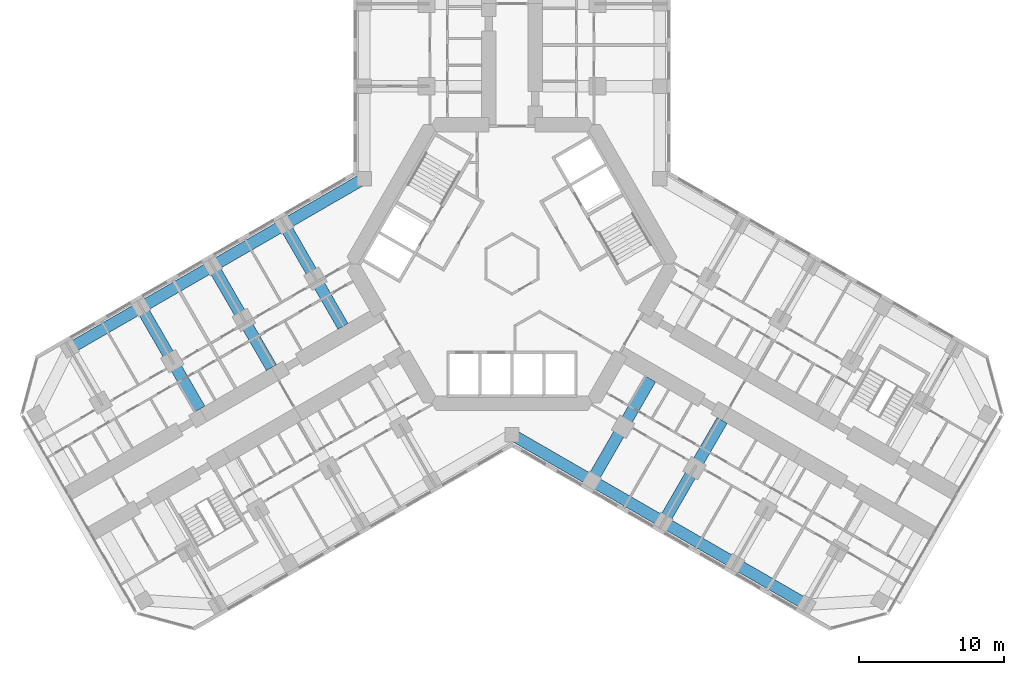
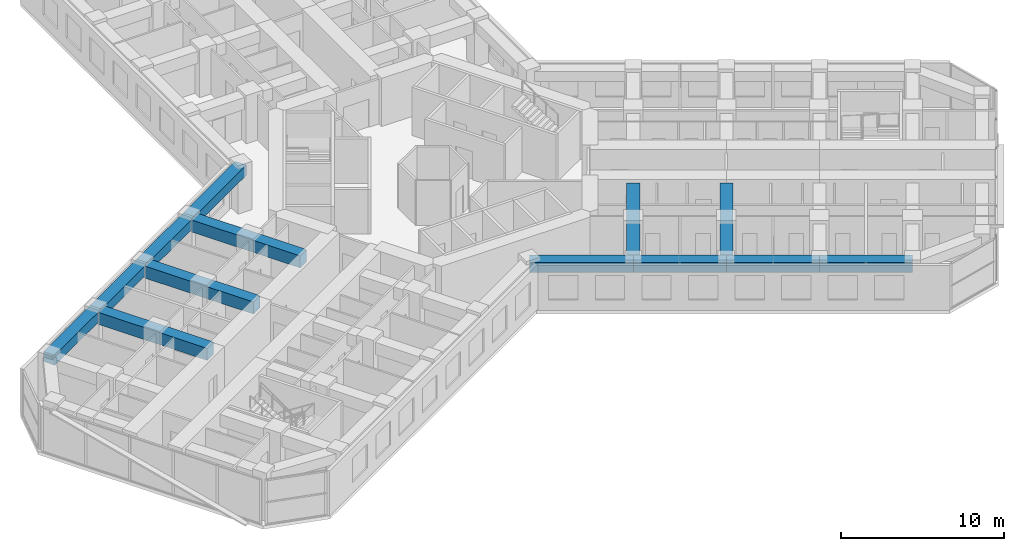
# One storey, part 4 of 21: 13 beams.
"""IFC4 building model written with IfcOpenShell, lengths in metres."""

from ifc_helpers import new_model, si_unit, direction, frame, origin, origin_2d, place, context, subcontext, project, spatial, rectangle, extrude, material, material_profile, profile_set, type_object, element, save


model = new_model("IFC4")

# Units and contexts
model_context = context("Model", 3, precision=1e-05, world=origin(), true_north=direction((0.0, 1.0)))
body_context = subcontext(model_context, "Body", "Model", "MODEL_VIEW")
ifc_project = project(units=[si_unit("LENGTHUNIT", "METRE"), si_unit("AREAUNIT", "SQUARE_METRE"), si_unit("VOLUMEUNIT", "CUBIC_METRE"), si_unit("PLANEANGLEUNIT", "RADIAN"), si_unit("MASSUNIT", "GRAM", prefix="KILO")], contexts=[model_context])

# Site, building, storey
site_placement = place(None, origin())
site = spatial("IfcSite", under=ifc_project, at=site_placement, CompositionType="ELEMENT")
building_placement = place(site_placement, origin())
building = spatial("IfcBuilding", under=site, at=building_placement, Name="Kosmar Iwan School Tower", CompositionType="ELEMENT")
storey_placement = place(building_placement, frame((0.0, 0.0, 57.39990234375)))
storey = spatial("IfcBuildingStorey", under=building, at=storey_placement, Name="L13", CompositionType="ELEMENT", Elevation=57.39990234375)

# Beams
ifc_material_1 = material(Name="Concrete C50/60", Category="concrete")
ifc_material_profile_1 = material_profile(ifc_material_1, rectangle(XDim=0.800048828125, YDim=0.75, at=origin_2d()), Name="RC 800x750")
ifc_profile_set_1 = profile_set([ifc_material_profile_1], Name="Concrete C50/60")
beam_type_1 = type_object("IfcBeamType", Name="RC edge beam 800x750", PredefinedType="BEAM", material=ifc_profile_set_1)
beam_1_placement = place(storey_placement, frame((-10.199951171875, 5.888916015625, 2.97509765625), z_axis=(-0.866030912664, -0.49999045822, 0.0), x_axis=(0.49999045822, -0.866030912664, 0.0)))
element("IfcBeam", 1, at=beam_1_placement, inside=storey, type_object=beam_type_1, Name="Edge beam BR1", PredefinedType="BEAM", context=body_context, shape_type="SweptSolid", body=[
    extrude(rectangle(XDim=0.800048828125, YDim=0.75, at=origin_2d()), origin(), (0.0, 0.0, 1.0), 6.36083984375),
])
beam_2_placement = place(storey_placement, frame((-15.708740234375, 2.70849609375, 2.97509765625), z_axis=(-0.866025820012, -0.499999279071, 0.0), x_axis=(0.499999279071, -0.866025820012, 0.0)))
element("IfcBeam", 2, at=beam_2_placement, inside=storey, type_object=beam_type_1, Name="Edge beam BR2", PredefinedType="BEAM", context=body_context, shape_type="SweptSolid", body=[
    extrude(rectangle(XDim=0.800048828125, YDim=0.75, at=origin_2d()), origin(), (0.0, 0.0, 1.0), 5.7001953125),
])
for number, where, z_axis, x_axis, name in (
    (3, (-20.645263671875, -0.1416015625, 2.97509765625), (-0.866033658841, -0.49998570155, 0.0), (0.49998570155, -0.866033658841, 0.0), "Edge beam BR3"),
    (4, (-25.58154296875, -2.991455078125, 2.97509765625), (-0.866015111908, -0.50001782563, 0.0), (0.50001782563, -0.866015111908, 0.0), "Edge beam BR4"),
):
    element("IfcBeam", number, at=place(storey_placement, frame(where, z_axis=z_axis, x_axis=x_axis)), inside=storey, type_object=beam_type_1, Name=name, PredefinedType="BEAM", context=body_context, shape_type="SweptSolid", body=[
        extrude(rectangle(XDim=0.800048828125, YDim=0.75, at=origin_2d()), origin(), (0.0, 0.0, 1.0), 5.699951171875),
    ])
beam_3_placement = place(storey_placement, frame((0.0, -11.77783203125, 2.97509765625), z_axis=(0.866014293216, -0.500019243575, 0.0), x_axis=(0.500019243575, 0.866014293216, 0.0)))
element("IfcBeam", 5, at=beam_3_placement, inside=storey, type_object=beam_type_1, Name="Edge beam CR1", PredefinedType="BEAM", context=body_context, shape_type="SweptSolid", body=[
    extrude(rectangle(XDim=0.800048828125, YDim=0.75, at=origin_2d()), origin(), (0.0, 0.0, 1.0), 6.361083984375),
])
beam_4_placement = place(storey_placement, frame((5.5087890625, -14.95849609375, 2.97509765625), z_axis=(0.866033658841, -0.49998570155, 0.0), x_axis=(0.49998570155, 0.866033658841, 0.0)))
element("IfcBeam", 6, at=beam_4_placement, inside=storey, type_object=beam_type_1, Name="Edge beam CR2", PredefinedType="BEAM", context=body_context, shape_type="SweptSolid", body=[
    extrude(rectangle(XDim=0.800048828125, YDim=0.75, at=origin_2d()), origin(), (0.0, 0.0, 1.0), 5.699951171875),
])
beam_5_placement = place(storey_placement, frame((10.445068359375, -17.808349609375, 2.97509765625), z_axis=(0.866025820012, -0.499999279071, 0.0), x_axis=(0.499999279071, 0.866025820012, 0.0)))
element("IfcBeam", 7, at=beam_5_placement, inside=storey, type_object=beam_type_1, Name="Edge beam CR3", PredefinedType="BEAM", context=body_context, shape_type="SweptSolid", body=[
    extrude(rectangle(XDim=0.800048828125, YDim=0.75, at=origin_2d()), origin(), (0.0, 0.0, 1.0), 5.7001953125),
])
beam_6_placement = place(storey_placement, frame((15.381591796875, -20.658447265625, 2.97509765625), z_axis=(0.866015111908, -0.50001782563, 0.0), x_axis=(0.50001782563, 0.866015111908, 0.0)))
element("IfcBeam", 8, at=beam_6_placement, inside=storey, type_object=beam_type_1, Name="Edge beam CR4", PredefinedType="BEAM", context=body_context, shape_type="SweptSolid", body=[
    extrude(rectangle(XDim=0.800048828125, YDim=0.75, at=origin_2d()), origin(), (0.0, 0.0, 1.0), 5.699951171875),
])
ifc_material_2 = material(Name="Concrete C50/60", Category="concrete")
ifc_material_profile_2 = material_profile(ifc_material_2, rectangle(XDim=0.800048828125, YDim=0.89990234375, at=origin_2d()), Name="RC 800x900")
ifc_profile_set_2 = profile_set([ifc_material_profile_2], Name="Concrete C50/60")
beam_type_2 = type_object("IfcBeamType", Name="RC transverse beam 800x900", PredefinedType="BEAM", material=ifc_profile_set_2)
beam_7_placement = place(storey_placement, frame((-15.708740234375, 2.70849609375, 2.900146484375), z_axis=(0.499999880539, -0.866025472755, 0.0), x_axis=(0.866025472755, 0.499999880539, 0.0)))
element("IfcBeam", 9, at=beam_7_placement, inside=storey, type_object=beam_type_2, Name="Transverse beam BR1", PredefinedType="BEAM", context=body_context, shape_type="SweptSolid", body=[
    extrude(rectangle(XDim=0.800048828125, YDim=0.89990234375, at=origin_2d()), origin(), (0.0, 0.0, 1.0), 8.10009765625),
])
beam_8_placement = place(storey_placement, frame((-20.645263671875, -0.1416015625, 2.900146484375), z_axis=(0.500012932018, -0.866017937352, 0.0), x_axis=(0.866017937352, 0.500012932018, 0.0)))
element("IfcBeam", 10, at=beam_8_placement, inside=storey, type_object=beam_type_2, Name="Transverse beam BR2", PredefinedType="BEAM", context=body_context, shape_type="SweptSolid", body=[
    extrude(rectangle(XDim=0.800048828125, YDim=0.89990234375, at=origin_2d()), origin(), (0.0, 0.0, 1.0), 8.099853515625),
])
for number, where, z_axis, x_axis, name in (
    (11, (-25.58154296875, -2.991455078125, 2.900146484375), (0.499999880539, -0.866025472755, 0.0), (0.866025472755, 0.499999880539, 0.0), "Transverse beam BR3"),
    (12, (5.5087890625, -14.95849609375, 2.900146484375), (0.499999880539, 0.866025472755, 0.0), (-0.866025472755, 0.499999880539, 0.0), "Transverse beam CR1"),
):
    element("IfcBeam", number, at=place(storey_placement, frame(where, z_axis=z_axis, x_axis=x_axis)), inside=storey, type_object=beam_type_2, Name=name, PredefinedType="BEAM", context=body_context, shape_type="SweptSolid", body=[
        extrude(rectangle(XDim=0.800048828125, YDim=0.89990234375, at=origin_2d()), origin(), (0.0, 0.0, 1.0), 8.10009765625),
    ])
beam_9_placement = place(storey_placement, frame((10.445068359375, -17.808349609375, 2.900146484375), z_axis=(0.500012932018, 0.866017937352, 0.0), x_axis=(-0.866017937352, 0.500012932018, 0.0)))
element("IfcBeam", 13, at=beam_9_placement, inside=storey, type_object=beam_type_2, Name="Transverse beam CR2", PredefinedType="BEAM", context=body_context, shape_type="SweptSolid", body=[
    extrude(rectangle(XDim=0.800048828125, YDim=0.89990234375, at=origin_2d()), origin(), (0.0, 0.0, 1.0), 8.099853515625),
])

save(model, "model.ifc")
